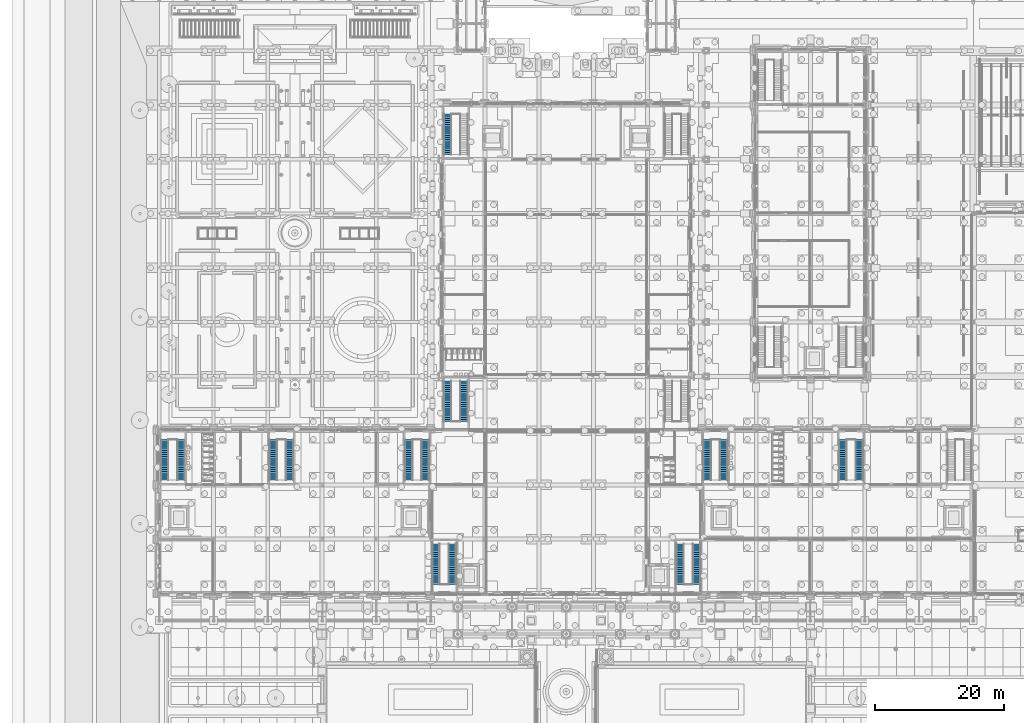
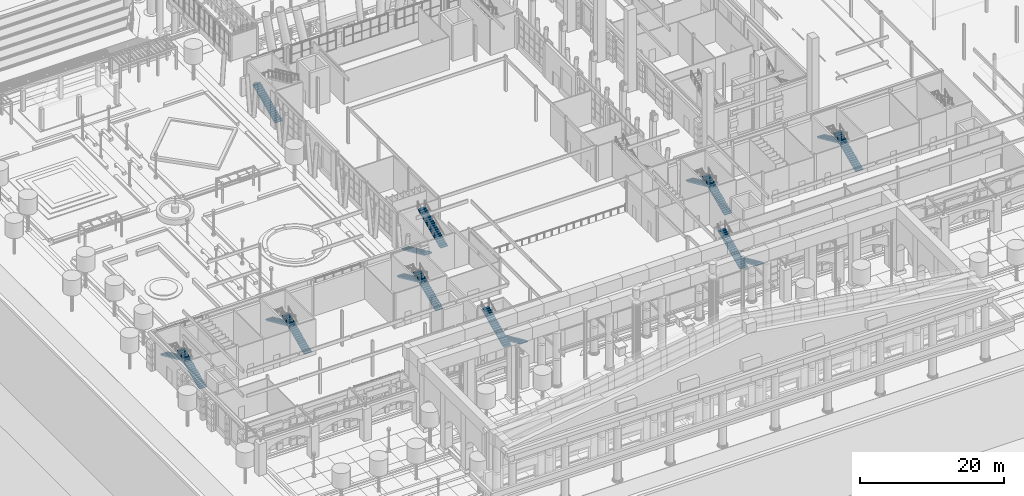
# One storey, part 103 of 222: 17 stair flights, 9 elements without a shape of their own.
"""IFC4 building model written with IfcOpenShell, lengths in metres."""

from ifc_helpers import new_model, si_unit, direction, frame, origin, place, context, subcontext, project, spatial, polyline, outline, extrude, material, type_object, element, aggregate, save


model = new_model("IFC4")

# Units and contexts
model_context = context("Model", 3, precision=1e-05, world=origin(), true_north=direction((0.0, 1.0)))
body_context = subcontext(model_context, "Body", "Model", "MODEL_VIEW")
ifc_project = project(units=[si_unit("LENGTHUNIT", "METRE"), si_unit("AREAUNIT", "SQUARE_METRE"), si_unit("VOLUMEUNIT", "CUBIC_METRE"), si_unit("PLANEANGLEUNIT", "RADIAN"), si_unit("MASSUNIT", "GRAM", prefix="KILO")], contexts=[model_context])

# Site, building, storey
site_placement = place(None, origin())
site = spatial("IfcSite", under=ifc_project, at=site_placement, CompositionType="ELEMENT")
building_placement = place(site_placement, origin())
building = spatial("IfcBuilding", under=site, at=building_placement, Name="Sava Quay Ferry Terminal", CompositionType="ELEMENT")
storey_placement = place(building_placement, origin())
storey = spatial("IfcBuildingStorey", under=building, at=storey_placement, Name="L00", CompositionType="ELEMENT", Elevation=0.0)

# Stair, stair flights
ifc_material_1 = material(Name="Concrete C30/37", Category="concrete")
stair_type = type_object("IfcStairType", Name="Stair 1200 half landing", PredefinedType="HALF_TURN_STAIR", material=ifc_material_1)
stair_1_placement = place(storey_placement, origin())
stair_1 = element("IfcStair", 1, at=stair_1_placement, inside=storey, type_object=stair_type, Name="Stair ST-A1 L00", PredefinedType="HALF_TURN_STAIR")
ifc_material_2 = material(Name="Concrete C30/37", Category="concrete")
stair_flight_type = type_object("IfcStairFlightType", Name="Stair flight 1200", PredefinedType="STRAIGHT", material=ifc_material_2)
stair_flight_1_placement = place(storey_placement, frame((45.39990234375, 32.8701171875, 0.0), z_axis=(0.0, 0.0, 1.0), x_axis=(0.0, -1.0, 0.0)))
stair_flight_1 = element("IfcStairFlight", 2, at=stair_flight_1_placement, type_object=stair_flight_type, Name="ST-A1 flight 1", NumberOfRisers=20, NumberOfTreads=19, PredefinedType="STRAIGHT", RiserHeight=0.15, TreadLength=0.33, context=body_context, shape_type="SweptSolid", body=[
    extrude(outline(polyline([(0.0, 0.0), (0.0, 0.14990234375), (0.330078125, 0.14990234375), (0.330078125, 0.300048828125), (0.659912109375, 0.300048828125), (0.659912109375, 0.449951171875), (0.989990234375, 0.449951171875), (0.989990234375, 0.60009765625), (1.320068359375, 0.60009765625), (1.320068359375, 0.75), (1.64990234375, 0.75), (1.64990234375, 0.89990234375), (1.97998046875, 0.89990234375), (1.97998046875, 1.050048828125), (2.31005859375, 1.050048828125), (2.31005859375, 1.199951171875), (2.639892578125, 1.199951171875), (2.639892578125, 1.35009765625), (2.969970703125, 1.35009765625), (2.969970703125, 1.5), (3.300048828125, 1.5), (3.300048828125, 1.64990234375), (3.6298828125, 1.64990234375), (3.6298828125, 1.800048828125), (3.9599609375, 1.800048828125), (3.9599609375, 1.949951171875), (4.2900390625, 1.949951171875), (4.2900390625, 2.10009765625), (4.6201171875, 2.10009765625), (4.6201171875, 2.25), (4.949951171875, 2.25), (4.949951171875, 2.39990234375), (5.280029296875, 2.39990234375), (5.280029296875, 2.550048828125), (5.610107421875, 2.550048828125), (5.610107421875, 2.699951171875), (5.93994140625, 2.699951171875), (5.93994140625, 2.85009765625), (6.27001953125, 2.85009765625), (6.27001953125, 3.0), (6.27001953125, 2.685302734375), (0.3623046875, 0.0), (0.0, 0.0)])), frame((0.0, 0.60009765625, 0.0), z_axis=(0.0, -1.0, 0.0), x_axis=(1.0, 0.0, 0.0)), (0.0, 0.0, 1.0), 1.199951171875),
])
stair_flight_2_placement = place(storey_placement, frame((42.800048828125, 26.60009765625, 3.0), z_axis=(0.0, 0.0, 1.0), x_axis=(0.0, 1.0, 0.0)))
stair_flight_2 = element("IfcStairFlight", 3, at=stair_flight_2_placement, type_object=stair_flight_type, Name="ST-A1 flight 2", NumberOfRisers=20, NumberOfTreads=19, PredefinedType="STRAIGHT", RiserHeight=0.15, TreadLength=0.33, context=body_context, shape_type="SweptSolid", body=[
    extrude(outline(polyline([(0.0, 0.0), (0.0, 0.14990234375), (0.330078125, 0.14990234375), (0.330078125, 0.300048828125), (0.659912109375, 0.300048828125), (0.659912109375, 0.449951171875), (0.989990234375, 0.449951171875), (0.989990234375, 0.60009765625), (1.320068359375, 0.60009765625), (1.320068359375, 0.75), (1.64990234375, 0.75), (1.64990234375, 0.89990234375), (1.97998046875, 0.89990234375), (1.97998046875, 1.050048828125), (2.31005859375, 1.050048828125), (2.31005859375, 1.199951171875), (2.639892578125, 1.199951171875), (2.639892578125, 1.35009765625), (2.969970703125, 1.35009765625), (2.969970703125, 1.5), (3.300048828125, 1.5), (3.300048828125, 1.64990234375), (3.6298828125, 1.64990234375), (3.6298828125, 1.800048828125), (3.9599609375, 1.800048828125), (3.9599609375, 1.949951171875), (4.2900390625, 1.949951171875), (4.2900390625, 2.10009765625), (4.6201171875, 2.10009765625), (4.6201171875, 2.25), (4.949951171875, 2.25), (4.949951171875, 2.39990234375), (5.280029296875, 2.39990234375), (5.280029296875, 2.550048828125), (5.610107421875, 2.550048828125), (5.610107421875, 2.699951171875), (5.93994140625, 2.699951171875), (5.93994140625, 2.85009765625), (6.27001953125, 2.85009765625), (6.27001953125, 3.0), (6.27001953125, 2.685302734375), (0.3623046875, 0.0), (0.0, 0.0)])), frame((0.0, 0.60009765625, 0.0), z_axis=(0.0, -1.0, 0.0), x_axis=(1.0, 0.0, 0.0)), (0.0, 0.0, 1.0), 1.199951171875),
])
aggregate(stair_1, [stair_flight_1, stair_flight_2])

stair_2_placement = place(storey_placement, origin())
stair_2 = element("IfcStair", 4, at=stair_2_placement, inside=storey, type_object=stair_type, Name="Stair ST-A2 L00", PredefinedType="HALF_TURN_STAIR")
stair_flight_3_placement = place(storey_placement, frame((83.199951171875, 32.8701171875, 0.0), z_axis=(0.0, 0.0, 1.0), x_axis=(0.0, -1.0, 0.0)))
stair_flight_3 = element("IfcStairFlight", 5, at=stair_flight_3_placement, type_object=stair_flight_type, Name="ST-A2 flight 1", NumberOfRisers=20, NumberOfTreads=19, PredefinedType="STRAIGHT", RiserHeight=0.15, TreadLength=0.33, context=body_context, shape_type="SweptSolid", body=[
    extrude(outline(polyline([(0.0, 0.0), (0.0, 0.14990234375), (0.330078125, 0.14990234375), (0.330078125, 0.300048828125), (0.659912109375, 0.300048828125), (0.659912109375, 0.449951171875), (0.989990234375, 0.449951171875), (0.989990234375, 0.60009765625), (1.320068359375, 0.60009765625), (1.320068359375, 0.75), (1.64990234375, 0.75), (1.64990234375, 0.89990234375), (1.97998046875, 0.89990234375), (1.97998046875, 1.050048828125), (2.31005859375, 1.050048828125), (2.31005859375, 1.199951171875), (2.639892578125, 1.199951171875), (2.639892578125, 1.35009765625), (2.969970703125, 1.35009765625), (2.969970703125, 1.5), (3.300048828125, 1.5), (3.300048828125, 1.64990234375), (3.6298828125, 1.64990234375), (3.6298828125, 1.800048828125), (3.9599609375, 1.800048828125), (3.9599609375, 1.949951171875), (4.2900390625, 1.949951171875), (4.2900390625, 2.10009765625), (4.6201171875, 2.10009765625), (4.6201171875, 2.25), (4.949951171875, 2.25), (4.949951171875, 2.39990234375), (5.280029296875, 2.39990234375), (5.280029296875, 2.550048828125), (5.610107421875, 2.550048828125), (5.610107421875, 2.699951171875), (5.93994140625, 2.699951171875), (5.93994140625, 2.85009765625), (6.27001953125, 2.85009765625), (6.27001953125, 3.0), (6.27001953125, 2.685302734375), (0.3623046875, 0.0), (0.0, 0.0)])), frame((0.0, 0.60009765625, 0.0), z_axis=(0.0, -1.0, 0.0), x_axis=(1.0, 0.0, 0.0)), (0.0, 0.0, 1.0), 1.199951171875),
])
stair_flight_4_placement = place(storey_placement, frame((80.60009765625, 26.60009765625, 3.0), z_axis=(0.0, 0.0, 1.0), x_axis=(0.0, 1.0, 0.0)))
stair_flight_4 = element("IfcStairFlight", 6, at=stair_flight_4_placement, type_object=stair_flight_type, Name="ST-A2 flight 2", NumberOfRisers=20, NumberOfTreads=19, PredefinedType="STRAIGHT", RiserHeight=0.15, TreadLength=0.33, context=body_context, shape_type="SweptSolid", body=[
    extrude(outline(polyline([(0.0, 0.0), (0.0, 0.14990234375), (0.330078125, 0.14990234375), (0.330078125, 0.300048828125), (0.659912109375, 0.300048828125), (0.659912109375, 0.449951171875), (0.989990234375, 0.449951171875), (0.989990234375, 0.60009765625), (1.320068359375, 0.60009765625), (1.320068359375, 0.75), (1.64990234375, 0.75), (1.64990234375, 0.89990234375), (1.97998046875, 0.89990234375), (1.97998046875, 1.050048828125), (2.31005859375, 1.050048828125), (2.31005859375, 1.199951171875), (2.639892578125, 1.199951171875), (2.639892578125, 1.35009765625), (2.969970703125, 1.35009765625), (2.969970703125, 1.5), (3.300048828125, 1.5), (3.300048828125, 1.64990234375), (3.6298828125, 1.64990234375), (3.6298828125, 1.800048828125), (3.9599609375, 1.800048828125), (3.9599609375, 1.949951171875), (4.2900390625, 1.949951171875), (4.2900390625, 2.10009765625), (4.6201171875, 2.10009765625), (4.6201171875, 2.25), (4.949951171875, 2.25), (4.949951171875, 2.39990234375), (5.280029296875, 2.39990234375), (5.280029296875, 2.550048828125), (5.610107421875, 2.550048828125), (5.610107421875, 2.699951171875), (5.93994140625, 2.699951171875), (5.93994140625, 2.85009765625), (6.27001953125, 2.85009765625), (6.27001953125, 3.0), (6.27001953125, 2.685302734375), (0.3623046875, 0.0), (0.0, 0.0)])), frame((0.0, 0.60009765625, 0.0), z_axis=(0.0, -1.0, 0.0), x_axis=(1.0, 0.0, 0.0)), (0.0, 0.0, 1.0), 1.199951171875),
])
aggregate(stair_2, [stair_flight_3, stair_flight_4])

stair_3_placement = place(storey_placement, origin())
stair_3 = element("IfcStair", 7, at=stair_3_placement, inside=storey, type_object=stair_type, Name="Stair ST-W1 L00", PredefinedType="HALF_TURN_STAIR")
stair_flight_5_placement = place(storey_placement, frame((3.39990234375, 42.72998046875, 0.0), z_axis=(0.0, 0.0, 1.0), x_axis=(0.0, 1.0, 0.0)))
stair_flight_5 = element("IfcStairFlight", 8, at=stair_flight_5_placement, type_object=stair_flight_type, Name="ST-W1 flight 1", NumberOfRisers=20, NumberOfTreads=19, PredefinedType="STRAIGHT", RiserHeight=0.15, TreadLength=0.33, context=body_context, shape_type="SweptSolid", body=[
    extrude(outline(polyline([(0.0, 0.0), (0.0, 0.14990234375), (0.330078125, 0.14990234375), (0.330078125, 0.300048828125), (0.659912109375, 0.300048828125), (0.659912109375, 0.449951171875), (0.989990234375, 0.449951171875), (0.989990234375, 0.60009765625), (1.320068359375, 0.60009765625), (1.320068359375, 0.75), (1.64990234375, 0.75), (1.64990234375, 0.89990234375), (1.97998046875, 0.89990234375), (1.97998046875, 1.050048828125), (2.31005859375, 1.050048828125), (2.31005859375, 1.199951171875), (2.639892578125, 1.199951171875), (2.639892578125, 1.35009765625), (2.969970703125, 1.35009765625), (2.969970703125, 1.5), (3.300048828125, 1.5), (3.300048828125, 1.64990234375), (3.6298828125, 1.64990234375), (3.6298828125, 1.800048828125), (3.9599609375, 1.800048828125), (3.9599609375, 1.949951171875), (4.2900390625, 1.949951171875), (4.2900390625, 2.10009765625), (4.6201171875, 2.10009765625), (4.6201171875, 2.25), (4.949951171875, 2.25), (4.949951171875, 2.39990234375), (5.280029296875, 2.39990234375), (5.280029296875, 2.550048828125), (5.610107421875, 2.550048828125), (5.610107421875, 2.699951171875), (5.93994140625, 2.699951171875), (5.93994140625, 2.85009765625), (6.27001953125, 2.85009765625), (6.27001953125, 3.0), (6.27001953125, 2.685302734375), (0.3623046875, 0.0), (0.0, 0.0)])), frame((0.0, 0.60009765625, 0.0), z_axis=(0.0, -1.0, 0.0), x_axis=(1.0, 0.0, 0.0)), (0.0, 0.0, 1.0), 1.199951171875),
])
stair_flight_6_placement = place(storey_placement, frame((0.800048828125, 49.0, 3.0), z_axis=(0.0, 0.0, 1.0), x_axis=(0.0, -1.0, 0.0)))
stair_flight_6 = element("IfcStairFlight", 9, at=stair_flight_6_placement, type_object=stair_flight_type, Name="ST-W1 flight 2", NumberOfRisers=20, NumberOfTreads=19, PredefinedType="STRAIGHT", RiserHeight=0.15, TreadLength=0.33, context=body_context, shape_type="SweptSolid", body=[
    extrude(outline(polyline([(0.0, 0.0), (0.0, 0.14990234375), (0.330078125, 0.14990234375), (0.330078125, 0.300048828125), (0.659912109375, 0.300048828125), (0.659912109375, 0.449951171875), (0.989990234375, 0.449951171875), (0.989990234375, 0.60009765625), (1.320068359375, 0.60009765625), (1.320068359375, 0.75), (1.64990234375, 0.75), (1.64990234375, 0.89990234375), (1.97998046875, 0.89990234375), (1.97998046875, 1.050048828125), (2.31005859375, 1.050048828125), (2.31005859375, 1.199951171875), (2.639892578125, 1.199951171875), (2.639892578125, 1.35009765625), (2.969970703125, 1.35009765625), (2.969970703125, 1.5), (3.300048828125, 1.5), (3.300048828125, 1.64990234375), (3.6298828125, 1.64990234375), (3.6298828125, 1.800048828125), (3.9599609375, 1.800048828125), (3.9599609375, 1.949951171875), (4.2900390625, 1.949951171875), (4.2900390625, 2.10009765625), (4.6201171875, 2.10009765625), (4.6201171875, 2.25), (4.949951171875, 2.25), (4.949951171875, 2.39990234375), (5.280029296875, 2.39990234375), (5.280029296875, 2.550048828125), (5.610107421875, 2.550048828125), (5.610107421875, 2.699951171875), (5.93994140625, 2.699951171875), (5.93994140625, 2.85009765625), (6.27001953125, 2.85009765625), (6.27001953125, 3.0), (6.27001953125, 2.685302734375), (0.3623046875, 0.0), (0.0, 0.0)])), frame((0.0, 0.60009765625, 0.0), z_axis=(0.0, -1.0, 0.0), x_axis=(1.0, 0.0, 0.0)), (0.0, 0.0, 1.0), 1.199951171875),
])
aggregate(stair_3, [stair_flight_5, stair_flight_6])

stair_4_placement = place(storey_placement, origin())
stair_4 = element("IfcStair", 10, at=stair_4_placement, inside=storey, type_object=stair_type, Name="Stair ST-W3 L00", PredefinedType="HALF_TURN_STAIR")
stair_flight_7_placement = place(storey_placement, frame((20.199951171875, 42.72998046875, 0.0), z_axis=(0.0, 0.0, 1.0), x_axis=(0.0, 1.0, 0.0)))
stair_flight_7 = element("IfcStairFlight", 11, at=stair_flight_7_placement, type_object=stair_flight_type, Name="ST-W3 flight 1", NumberOfRisers=20, NumberOfTreads=19, PredefinedType="STRAIGHT", RiserHeight=0.15, TreadLength=0.33, context=body_context, shape_type="SweptSolid", body=[
    extrude(outline(polyline([(0.0, 0.0), (0.0, 0.14990234375), (0.330078125, 0.14990234375), (0.330078125, 0.300048828125), (0.659912109375, 0.300048828125), (0.659912109375, 0.449951171875), (0.989990234375, 0.449951171875), (0.989990234375, 0.60009765625), (1.320068359375, 0.60009765625), (1.320068359375, 0.75), (1.64990234375, 0.75), (1.64990234375, 0.89990234375), (1.97998046875, 0.89990234375), (1.97998046875, 1.050048828125), (2.31005859375, 1.050048828125), (2.31005859375, 1.199951171875), (2.639892578125, 1.199951171875), (2.639892578125, 1.35009765625), (2.969970703125, 1.35009765625), (2.969970703125, 1.5), (3.300048828125, 1.5), (3.300048828125, 1.64990234375), (3.6298828125, 1.64990234375), (3.6298828125, 1.800048828125), (3.9599609375, 1.800048828125), (3.9599609375, 1.949951171875), (4.2900390625, 1.949951171875), (4.2900390625, 2.10009765625), (4.6201171875, 2.10009765625), (4.6201171875, 2.25), (4.949951171875, 2.25), (4.949951171875, 2.39990234375), (5.280029296875, 2.39990234375), (5.280029296875, 2.550048828125), (5.610107421875, 2.550048828125), (5.610107421875, 2.699951171875), (5.93994140625, 2.699951171875), (5.93994140625, 2.85009765625), (6.27001953125, 2.85009765625), (6.27001953125, 3.0), (6.27001953125, 2.685302734375), (0.3623046875, 0.0), (0.0, 0.0)])), frame((0.0, 0.60009765625, 0.0), z_axis=(0.0, -1.0, 0.0), x_axis=(1.0, 0.0, 0.0)), (0.0, 0.0, 1.0), 1.199951171875),
])
stair_flight_8_placement = place(storey_placement, frame((17.60009765625, 49.0, 3.0), z_axis=(0.0, 0.0, 1.0), x_axis=(0.0, -1.0, 0.0)))
stair_flight_8 = element("IfcStairFlight", 12, at=stair_flight_8_placement, type_object=stair_flight_type, Name="ST-W3 flight 2", NumberOfRisers=20, NumberOfTreads=19, PredefinedType="STRAIGHT", RiserHeight=0.15, TreadLength=0.33, context=body_context, shape_type="SweptSolid", body=[
    extrude(outline(polyline([(0.0, 0.0), (0.0, 0.14990234375), (0.330078125, 0.14990234375), (0.330078125, 0.300048828125), (0.659912109375, 0.300048828125), (0.659912109375, 0.449951171875), (0.989990234375, 0.449951171875), (0.989990234375, 0.60009765625), (1.320068359375, 0.60009765625), (1.320068359375, 0.75), (1.64990234375, 0.75), (1.64990234375, 0.89990234375), (1.97998046875, 0.89990234375), (1.97998046875, 1.050048828125), (2.31005859375, 1.050048828125), (2.31005859375, 1.199951171875), (2.639892578125, 1.199951171875), (2.639892578125, 1.35009765625), (2.969970703125, 1.35009765625), (2.969970703125, 1.5), (3.300048828125, 1.5), (3.300048828125, 1.64990234375), (3.6298828125, 1.64990234375), (3.6298828125, 1.800048828125), (3.9599609375, 1.800048828125), (3.9599609375, 1.949951171875), (4.2900390625, 1.949951171875), (4.2900390625, 2.10009765625), (4.6201171875, 2.10009765625), (4.6201171875, 2.25), (4.949951171875, 2.25), (4.949951171875, 2.39990234375), (5.280029296875, 2.39990234375), (5.280029296875, 2.550048828125), (5.610107421875, 2.550048828125), (5.610107421875, 2.699951171875), (5.93994140625, 2.699951171875), (5.93994140625, 2.85009765625), (6.27001953125, 2.85009765625), (6.27001953125, 3.0), (6.27001953125, 2.685302734375), (0.3623046875, 0.0), (0.0, 0.0)])), frame((0.0, 0.60009765625, 0.0), z_axis=(0.0, -1.0, 0.0), x_axis=(1.0, 0.0, 0.0)), (0.0, 0.0, 1.0), 1.199951171875),
])
aggregate(stair_4, [stair_flight_7, stair_flight_8])

stair_5_placement = place(storey_placement, origin())
stair_5 = element("IfcStair", 13, at=stair_5_placement, inside=storey, type_object=stair_type, Name="Stair ST-W2 L00", PredefinedType="HALF_TURN_STAIR")
stair_flight_9_placement = place(storey_placement, frame((41.199951171875, 42.72998046875, 0.0), z_axis=(0.0, 0.0, 1.0), x_axis=(0.0, 1.0, 0.0)))
stair_flight_9 = element("IfcStairFlight", 14, at=stair_flight_9_placement, type_object=stair_flight_type, Name="ST-W2 flight 1", NumberOfRisers=20, NumberOfTreads=19, PredefinedType="STRAIGHT", RiserHeight=0.15, TreadLength=0.33, context=body_context, shape_type="SweptSolid", body=[
    extrude(outline(polyline([(0.0, 0.0), (0.0, 0.14990234375), (0.330078125, 0.14990234375), (0.330078125, 0.300048828125), (0.659912109375, 0.300048828125), (0.659912109375, 0.449951171875), (0.989990234375, 0.449951171875), (0.989990234375, 0.60009765625), (1.320068359375, 0.60009765625), (1.320068359375, 0.75), (1.64990234375, 0.75), (1.64990234375, 0.89990234375), (1.97998046875, 0.89990234375), (1.97998046875, 1.050048828125), (2.31005859375, 1.050048828125), (2.31005859375, 1.199951171875), (2.639892578125, 1.199951171875), (2.639892578125, 1.35009765625), (2.969970703125, 1.35009765625), (2.969970703125, 1.5), (3.300048828125, 1.5), (3.300048828125, 1.64990234375), (3.6298828125, 1.64990234375), (3.6298828125, 1.800048828125), (3.9599609375, 1.800048828125), (3.9599609375, 1.949951171875), (4.2900390625, 1.949951171875), (4.2900390625, 2.10009765625), (4.6201171875, 2.10009765625), (4.6201171875, 2.25), (4.949951171875, 2.25), (4.949951171875, 2.39990234375), (5.280029296875, 2.39990234375), (5.280029296875, 2.550048828125), (5.610107421875, 2.550048828125), (5.610107421875, 2.699951171875), (5.93994140625, 2.699951171875), (5.93994140625, 2.85009765625), (6.27001953125, 2.85009765625), (6.27001953125, 3.0), (6.27001953125, 2.685302734375), (0.3623046875, 0.0), (0.0, 0.0)])), frame((0.0, 0.60009765625, 0.0), z_axis=(0.0, -1.0, 0.0), x_axis=(1.0, 0.0, 0.0)), (0.0, 0.0, 1.0), 1.199951171875),
])
stair_flight_10_placement = place(storey_placement, frame((38.60009765625, 49.0, 3.0), z_axis=(0.0, 0.0, 1.0), x_axis=(0.0, -1.0, 0.0)))
stair_flight_10 = element("IfcStairFlight", 15, at=stair_flight_10_placement, type_object=stair_flight_type, Name="ST-W2 flight 2", NumberOfRisers=20, NumberOfTreads=19, PredefinedType="STRAIGHT", RiserHeight=0.15, TreadLength=0.33, context=body_context, shape_type="SweptSolid", body=[
    extrude(outline(polyline([(0.0, 0.0), (0.0, 0.14990234375), (0.330078125, 0.14990234375), (0.330078125, 0.300048828125), (0.659912109375, 0.300048828125), (0.659912109375, 0.449951171875), (0.989990234375, 0.449951171875), (0.989990234375, 0.60009765625), (1.320068359375, 0.60009765625), (1.320068359375, 0.75), (1.64990234375, 0.75), (1.64990234375, 0.89990234375), (1.97998046875, 0.89990234375), (1.97998046875, 1.050048828125), (2.31005859375, 1.050048828125), (2.31005859375, 1.199951171875), (2.639892578125, 1.199951171875), (2.639892578125, 1.35009765625), (2.969970703125, 1.35009765625), (2.969970703125, 1.5), (3.300048828125, 1.5), (3.300048828125, 1.64990234375), (3.6298828125, 1.64990234375), (3.6298828125, 1.800048828125), (3.9599609375, 1.800048828125), (3.9599609375, 1.949951171875), (4.2900390625, 1.949951171875), (4.2900390625, 2.10009765625), (4.6201171875, 2.10009765625), (4.6201171875, 2.25), (4.949951171875, 2.25), (4.949951171875, 2.39990234375), (5.280029296875, 2.39990234375), (5.280029296875, 2.550048828125), (5.610107421875, 2.550048828125), (5.610107421875, 2.699951171875), (5.93994140625, 2.699951171875), (5.93994140625, 2.85009765625), (6.27001953125, 2.85009765625), (6.27001953125, 3.0), (6.27001953125, 2.685302734375), (0.3623046875, 0.0), (0.0, 0.0)])), frame((0.0, 0.60009765625, 0.0), z_axis=(0.0, -1.0, 0.0), x_axis=(1.0, 0.0, 0.0)), (0.0, 0.0, 1.0), 1.199951171875),
])
aggregate(stair_5, [stair_flight_9, stair_flight_10])

stair_6_placement = place(storey_placement, origin())
stair_6 = element("IfcStair", 16, at=stair_6_placement, inside=storey, type_object=stair_type, Name="Stair ST-D1 L00", PredefinedType="HALF_TURN_STAIR")
stair_flight_11_placement = place(storey_placement, frame((44.60009765625, 58.070068359375, 0.0), z_axis=(0.0, 0.0, 1.0), x_axis=(0.0, -1.0, 0.0)))
stair_flight_11 = element("IfcStairFlight", 17, at=stair_flight_11_placement, type_object=stair_flight_type, Name="ST-D1 flight 1", NumberOfRisers=20, NumberOfTreads=19, PredefinedType="STRAIGHT", RiserHeight=0.15, TreadLength=0.33, context=body_context, shape_type="SweptSolid", body=[
    extrude(outline(polyline([(0.0, 0.0), (0.0, 0.14990234375), (0.330078125, 0.14990234375), (0.330078125, 0.300048828125), (0.659912109375, 0.300048828125), (0.659912109375, 0.449951171875), (0.989990234375, 0.449951171875), (0.989990234375, 0.60009765625), (1.320068359375, 0.60009765625), (1.320068359375, 0.75), (1.64990234375, 0.75), (1.64990234375, 0.89990234375), (1.97998046875, 0.89990234375), (1.97998046875, 1.050048828125), (2.31005859375, 1.050048828125), (2.31005859375, 1.199951171875), (2.639892578125, 1.199951171875), (2.639892578125, 1.35009765625), (2.969970703125, 1.35009765625), (2.969970703125, 1.5), (3.300048828125, 1.5), (3.300048828125, 1.64990234375), (3.6298828125, 1.64990234375), (3.6298828125, 1.800048828125), (3.9599609375, 1.800048828125), (3.9599609375, 1.949951171875), (4.2900390625, 1.949951171875), (4.2900390625, 2.10009765625), (4.6201171875, 2.10009765625), (4.6201171875, 2.25), (4.949951171875, 2.25), (4.949951171875, 2.39990234375), (5.280029296875, 2.39990234375), (5.280029296875, 2.550048828125), (5.610107421875, 2.550048828125), (5.610107421875, 2.699951171875), (5.93994140625, 2.699951171875), (5.93994140625, 2.85009765625), (6.27001953125, 2.85009765625), (6.27001953125, 3.0), (6.27001953125, 2.685302734375), (0.3623046875, 0.0), (0.0, 0.0)])), frame((0.0, 0.60009765625, 0.0), z_axis=(0.0, -1.0, 0.0), x_axis=(1.0, 0.0, 0.0)), (0.0, 0.0, 1.0), 1.199951171875),
])
stair_flight_12_placement = place(storey_placement, frame((47.199951171875, 51.800048828125, 3.0), z_axis=(0.0, 0.0, 1.0), x_axis=(0.0, 1.0, 0.0)))
stair_flight_12 = element("IfcStairFlight", 18, at=stair_flight_12_placement, type_object=stair_flight_type, Name="ST-D1 flight 2", NumberOfRisers=20, NumberOfTreads=19, PredefinedType="STRAIGHT", RiserHeight=0.15, TreadLength=0.33, context=body_context, shape_type="SweptSolid", body=[
    extrude(outline(polyline([(0.0, 0.0), (0.0, 0.14990234375), (0.330078125, 0.14990234375), (0.330078125, 0.300048828125), (0.659912109375, 0.300048828125), (0.659912109375, 0.449951171875), (0.989990234375, 0.449951171875), (0.989990234375, 0.60009765625), (1.320068359375, 0.60009765625), (1.320068359375, 0.75), (1.64990234375, 0.75), (1.64990234375, 0.89990234375), (1.97998046875, 0.89990234375), (1.97998046875, 1.050048828125), (2.31005859375, 1.050048828125), (2.31005859375, 1.199951171875), (2.639892578125, 1.199951171875), (2.639892578125, 1.35009765625), (2.969970703125, 1.35009765625), (2.969970703125, 1.5), (3.300048828125, 1.5), (3.300048828125, 1.64990234375), (3.6298828125, 1.64990234375), (3.6298828125, 1.800048828125), (3.9599609375, 1.800048828125), (3.9599609375, 1.949951171875), (4.2900390625, 1.949951171875), (4.2900390625, 2.10009765625), (4.6201171875, 2.10009765625), (4.6201171875, 2.25), (4.949951171875, 2.25), (4.949951171875, 2.39990234375), (5.280029296875, 2.39990234375), (5.280029296875, 2.550048828125), (5.610107421875, 2.550048828125), (5.610107421875, 2.699951171875), (5.93994140625, 2.699951171875), (5.93994140625, 2.85009765625), (6.27001953125, 2.85009765625), (6.27001953125, 3.0), (6.27001953125, 2.685302734375), (0.3623046875, 0.0), (0.0, 0.0)])), frame((0.0, 0.60009765625, 0.0), z_axis=(0.0, -1.0, 0.0), x_axis=(1.0, 0.0, 0.0)), (0.0, 0.0, 1.0), 1.199951171875),
])
aggregate(stair_6, [stair_flight_11, stair_flight_12])

# Stair, stair flight
stair_7_placement = place(storey_placement, origin())
stair_7 = element("IfcStair", 19, at=stair_7_placement, inside=storey, type_object=stair_type, Name="Stair ST-D5 L00", PredefinedType="HALF_TURN_STAIR")
stair_flight_13_placement = place(storey_placement, frame((44.60009765625, 93.1298828125, 0.0), z_axis=(0.0, 0.0, 1.0), x_axis=(0.0, 1.0, 0.0)))
stair_flight_13 = element("IfcStairFlight", 20, at=stair_flight_13_placement, type_object=stair_flight_type, Name="ST-D5 flight 1", NumberOfRisers=20, NumberOfTreads=19, PredefinedType="STRAIGHT", RiserHeight=0.15, TreadLength=0.33, context=body_context, shape_type="SweptSolid", body=[
    extrude(outline(polyline([(0.0, 0.0), (0.0, 0.14990234375), (0.330078125, 0.14990234375), (0.330078125, 0.300048828125), (0.659912109375, 0.300048828125), (0.659912109375, 0.449951171875), (0.989990234375, 0.449951171875), (0.989990234375, 0.60009765625), (1.320068359375, 0.60009765625), (1.320068359375, 0.75), (1.64990234375, 0.75), (1.64990234375, 0.89990234375), (1.97998046875, 0.89990234375), (1.97998046875, 1.050048828125), (2.31005859375, 1.050048828125), (2.31005859375, 1.199951171875), (2.639892578125, 1.199951171875), (2.639892578125, 1.35009765625), (2.969970703125, 1.35009765625), (2.969970703125, 1.5), (3.300048828125, 1.5), (3.300048828125, 1.64990234375), (3.6298828125, 1.64990234375), (3.6298828125, 1.800048828125), (3.9599609375, 1.800048828125), (3.9599609375, 1.949951171875), (4.2900390625, 1.949951171875), (4.2900390625, 2.10009765625), (4.6201171875, 2.10009765625), (4.6201171875, 2.25), (4.949951171875, 2.25), (4.949951171875, 2.39990234375), (5.280029296875, 2.39990234375), (5.280029296875, 2.550048828125), (5.610107421875, 2.550048828125), (5.610107421875, 2.699951171875), (5.93994140625, 2.699951171875), (5.93994140625, 2.85009765625), (6.27001953125, 2.85009765625), (6.27001953125, 3.0), (6.27001953125, 2.685302734375), (0.3623046875, 0.0), (0.0, 0.0)])), frame((0.0, 0.60009765625, 0.0), z_axis=(0.0, -1.0, 0.0), x_axis=(1.0, 0.0, 0.0)), (0.0, 0.0, 1.0), 1.199951171875),
])
aggregate(stair_7, [stair_flight_13])

# Stair, stair flights
stair_8_placement = place(storey_placement, origin())
stair_8 = element("IfcStair", 21, at=stair_8_placement, inside=storey, type_object=stair_type, Name="Stair ST-P1 L00", PredefinedType="HALF_TURN_STAIR")
stair_flight_14_placement = place(storey_placement, frame((87.39990234375, 42.72998046875, 0.0), z_axis=(0.0, 0.0, 1.0), x_axis=(0.0, 1.0, 0.0)))
stair_flight_14 = element("IfcStairFlight", 22, at=stair_flight_14_placement, type_object=stair_flight_type, Name="ST-P1 flight 1", NumberOfRisers=20, NumberOfTreads=19, PredefinedType="STRAIGHT", RiserHeight=0.15, TreadLength=0.33, context=body_context, shape_type="SweptSolid", body=[
    extrude(outline(polyline([(0.0, 0.0), (0.0, 0.14990234375), (0.330078125, 0.14990234375), (0.330078125, 0.300048828125), (0.659912109375, 0.300048828125), (0.659912109375, 0.449951171875), (0.989990234375, 0.449951171875), (0.989990234375, 0.60009765625), (1.320068359375, 0.60009765625), (1.320068359375, 0.75), (1.64990234375, 0.75), (1.64990234375, 0.89990234375), (1.97998046875, 0.89990234375), (1.97998046875, 1.050048828125), (2.31005859375, 1.050048828125), (2.31005859375, 1.199951171875), (2.639892578125, 1.199951171875), (2.639892578125, 1.35009765625), (2.969970703125, 1.35009765625), (2.969970703125, 1.5), (3.300048828125, 1.5), (3.300048828125, 1.64990234375), (3.6298828125, 1.64990234375), (3.6298828125, 1.800048828125), (3.9599609375, 1.800048828125), (3.9599609375, 1.949951171875), (4.2900390625, 1.949951171875), (4.2900390625, 2.10009765625), (4.6201171875, 2.10009765625), (4.6201171875, 2.25), (4.949951171875, 2.25), (4.949951171875, 2.39990234375), (5.280029296875, 2.39990234375), (5.280029296875, 2.550048828125), (5.610107421875, 2.550048828125), (5.610107421875, 2.699951171875), (5.93994140625, 2.699951171875), (5.93994140625, 2.85009765625), (6.27001953125, 2.85009765625), (6.27001953125, 3.0), (6.27001953125, 2.685302734375), (0.3623046875, 0.0), (0.0, 0.0)])), frame((0.0, 0.60009765625, 0.0), z_axis=(0.0, -1.0, 0.0), x_axis=(1.0, 0.0, 0.0)), (0.0, 0.0, 1.0), 1.199951171875),
])
stair_flight_15_placement = place(storey_placement, frame((84.800048828125, 49.0, 3.0), z_axis=(0.0, 0.0, 1.0), x_axis=(0.0, -1.0, 0.0)))
stair_flight_15 = element("IfcStairFlight", 23, at=stair_flight_15_placement, type_object=stair_flight_type, Name="ST-P1 flight 2", NumberOfRisers=20, NumberOfTreads=19, PredefinedType="STRAIGHT", RiserHeight=0.15, TreadLength=0.33, context=body_context, shape_type="SweptSolid", body=[
    extrude(outline(polyline([(0.0, 0.0), (0.0, 0.14990234375), (0.330078125, 0.14990234375), (0.330078125, 0.300048828125), (0.659912109375, 0.300048828125), (0.659912109375, 0.449951171875), (0.989990234375, 0.449951171875), (0.989990234375, 0.60009765625), (1.320068359375, 0.60009765625), (1.320068359375, 0.75), (1.64990234375, 0.75), (1.64990234375, 0.89990234375), (1.97998046875, 0.89990234375), (1.97998046875, 1.050048828125), (2.31005859375, 1.050048828125), (2.31005859375, 1.199951171875), (2.639892578125, 1.199951171875), (2.639892578125, 1.35009765625), (2.969970703125, 1.35009765625), (2.969970703125, 1.5), (3.300048828125, 1.5), (3.300048828125, 1.64990234375), (3.6298828125, 1.64990234375), (3.6298828125, 1.800048828125), (3.9599609375, 1.800048828125), (3.9599609375, 1.949951171875), (4.2900390625, 1.949951171875), (4.2900390625, 2.10009765625), (4.6201171875, 2.10009765625), (4.6201171875, 2.25), (4.949951171875, 2.25), (4.949951171875, 2.39990234375), (5.280029296875, 2.39990234375), (5.280029296875, 2.550048828125), (5.610107421875, 2.550048828125), (5.610107421875, 2.699951171875), (5.93994140625, 2.699951171875), (5.93994140625, 2.85009765625), (6.27001953125, 2.85009765625), (6.27001953125, 3.0), (6.27001953125, 2.685302734375), (0.3623046875, 0.0), (0.0, 0.0)])), frame((0.0, 0.60009765625, 0.0), z_axis=(0.0, -1.0, 0.0), x_axis=(1.0, 0.0, 0.0)), (0.0, 0.0, 1.0), 1.199951171875),
])
aggregate(stair_8, [stair_flight_14, stair_flight_15])

stair_9_placement = place(storey_placement, origin())
stair_9 = element("IfcStair", 24, at=stair_9_placement, inside=storey, type_object=stair_type, Name="Stair ST-P3 L00", PredefinedType="HALF_TURN_STAIR")
stair_flight_16_placement = place(storey_placement, frame((108.39990234375, 42.72998046875, 0.0), z_axis=(0.0, 0.0, 1.0), x_axis=(0.0, 1.0, 0.0)))
stair_flight_16 = element("IfcStairFlight", 25, at=stair_flight_16_placement, type_object=stair_flight_type, Name="ST-P3 flight 1", NumberOfRisers=20, NumberOfTreads=19, PredefinedType="STRAIGHT", RiserHeight=0.15, TreadLength=0.33, context=body_context, shape_type="SweptSolid", body=[
    extrude(outline(polyline([(0.0, 0.0), (0.0, 0.14990234375), (0.330078125, 0.14990234375), (0.330078125, 0.300048828125), (0.659912109375, 0.300048828125), (0.659912109375, 0.449951171875), (0.989990234375, 0.449951171875), (0.989990234375, 0.60009765625), (1.320068359375, 0.60009765625), (1.320068359375, 0.75), (1.64990234375, 0.75), (1.64990234375, 0.89990234375), (1.97998046875, 0.89990234375), (1.97998046875, 1.050048828125), (2.31005859375, 1.050048828125), (2.31005859375, 1.199951171875), (2.639892578125, 1.199951171875), (2.639892578125, 1.35009765625), (2.969970703125, 1.35009765625), (2.969970703125, 1.5), (3.300048828125, 1.5), (3.300048828125, 1.64990234375), (3.6298828125, 1.64990234375), (3.6298828125, 1.800048828125), (3.9599609375, 1.800048828125), (3.9599609375, 1.949951171875), (4.2900390625, 1.949951171875), (4.2900390625, 2.10009765625), (4.6201171875, 2.10009765625), (4.6201171875, 2.25), (4.949951171875, 2.25), (4.949951171875, 2.39990234375), (5.280029296875, 2.39990234375), (5.280029296875, 2.550048828125), (5.610107421875, 2.550048828125), (5.610107421875, 2.699951171875), (5.93994140625, 2.699951171875), (5.93994140625, 2.85009765625), (6.27001953125, 2.85009765625), (6.27001953125, 3.0), (6.27001953125, 2.685302734375), (0.3623046875, 0.0), (0.0, 0.0)])), frame((0.0, 0.60009765625, 0.0), z_axis=(0.0, -1.0, 0.0), x_axis=(1.0, 0.0, 0.0)), (0.0, 0.0, 1.0), 1.199951171875),
])
stair_flight_17_placement = place(storey_placement, frame((105.800048828125, 49.0, 3.0), z_axis=(0.0, 0.0, 1.0), x_axis=(0.0, -1.0, 0.0)))
stair_flight_17 = element("IfcStairFlight", 26, at=stair_flight_17_placement, type_object=stair_flight_type, Name="ST-P3 flight 2", NumberOfRisers=20, NumberOfTreads=19, PredefinedType="STRAIGHT", RiserHeight=0.15, TreadLength=0.33, context=body_context, shape_type="SweptSolid", body=[
    extrude(outline(polyline([(0.0, 0.0), (0.0, 0.14990234375), (0.330078125, 0.14990234375), (0.330078125, 0.300048828125), (0.659912109375, 0.300048828125), (0.659912109375, 0.449951171875), (0.989990234375, 0.449951171875), (0.989990234375, 0.60009765625), (1.320068359375, 0.60009765625), (1.320068359375, 0.75), (1.64990234375, 0.75), (1.64990234375, 0.89990234375), (1.97998046875, 0.89990234375), (1.97998046875, 1.050048828125), (2.31005859375, 1.050048828125), (2.31005859375, 1.199951171875), (2.639892578125, 1.199951171875), (2.639892578125, 1.35009765625), (2.969970703125, 1.35009765625), (2.969970703125, 1.5), (3.300048828125, 1.5), (3.300048828125, 1.64990234375), (3.6298828125, 1.64990234375), (3.6298828125, 1.800048828125), (3.9599609375, 1.800048828125), (3.9599609375, 1.949951171875), (4.2900390625, 1.949951171875), (4.2900390625, 2.10009765625), (4.6201171875, 2.10009765625), (4.6201171875, 2.25), (4.949951171875, 2.25), (4.949951171875, 2.39990234375), (5.280029296875, 2.39990234375), (5.280029296875, 2.550048828125), (5.610107421875, 2.550048828125), (5.610107421875, 2.699951171875), (5.93994140625, 2.699951171875), (5.93994140625, 2.85009765625), (6.27001953125, 2.85009765625), (6.27001953125, 3.0), (6.27001953125, 2.685302734375), (0.3623046875, 0.0), (0.0, 0.0)])), frame((0.0, 0.60009765625, 0.0), z_axis=(0.0, -1.0, 0.0), x_axis=(1.0, 0.0, 0.0)), (0.0, 0.0, 1.0), 1.199951171875),
])
aggregate(stair_9, [stair_flight_16, stair_flight_17])

save(model, "model.ifc")
